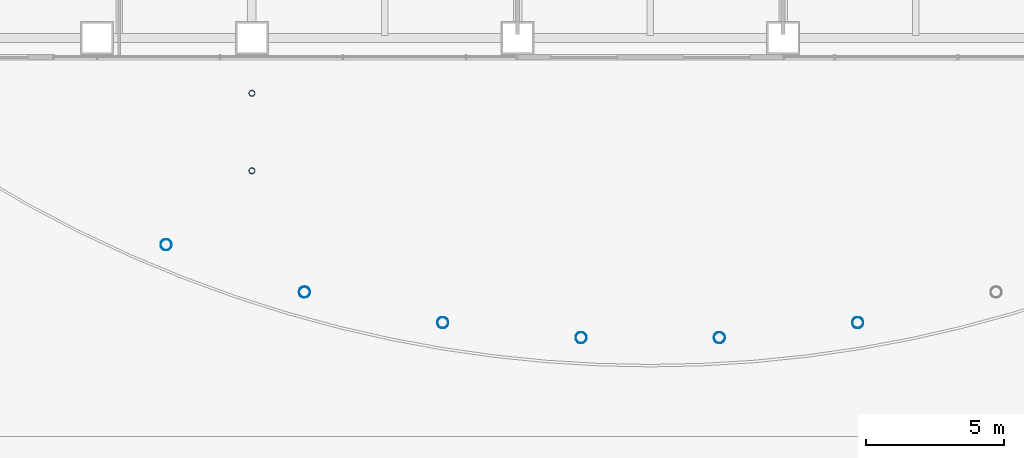
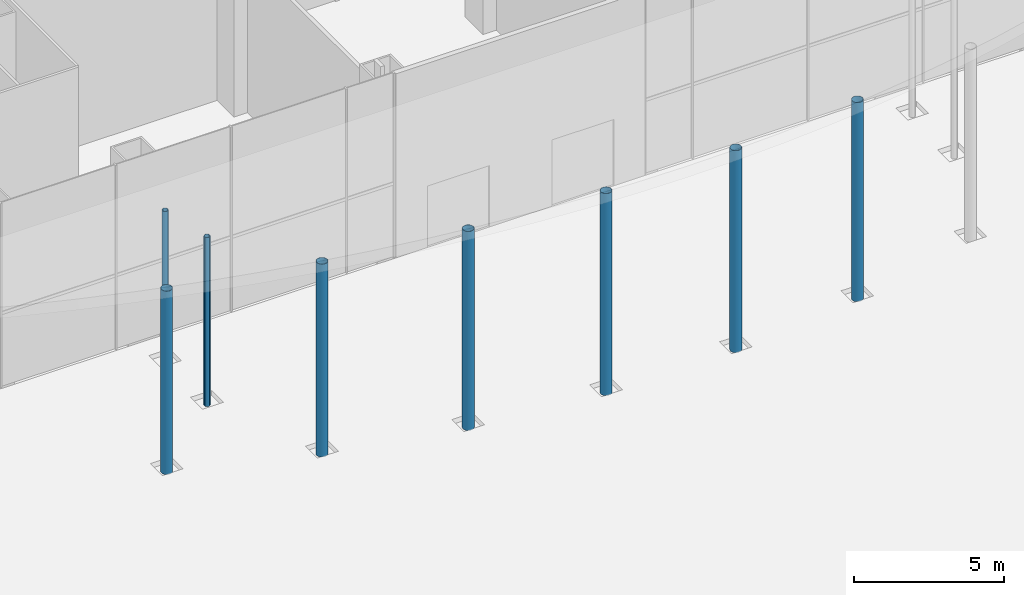
# One storey, part 2 of 36: 8 columns.
"""IFC4 building model written with IfcOpenShell, lengths in metres."""

from ifc_helpers import new_model, si_unit, direction, frame, origin, origin_2d, place, context, subcontext, project, spatial, hollow_circle, extrude, material, material_profile, profile_set, type_object, element, save


model = new_model("IFC4")

# Units and contexts
model_context = context("Model", 3, precision=1e-05, world=origin(), true_north=direction((0.0, 1.0)))
body_context = subcontext(model_context, "Body", "Model", "MODEL_VIEW")
ifc_project = project(units=[si_unit("LENGTHUNIT", "METRE"), si_unit("AREAUNIT", "SQUARE_METRE"), si_unit("VOLUMEUNIT", "CUBIC_METRE"), si_unit("PLANEANGLEUNIT", "RADIAN"), si_unit("MASSUNIT", "GRAM", prefix="KILO")], contexts=[model_context])

# Site, building, storey
site_placement = place(None, origin())
site = spatial("IfcSite", under=ifc_project, at=site_placement, CompositionType="ELEMENT")
building_placement = place(site_placement, origin())
building = spatial("IfcBuilding", under=site, at=building_placement, Name="Cobrizo Arcos Hotel Tower", CompositionType="ELEMENT")
storey_placement = place(building_placement, origin())
storey = spatial("IfcBuildingStorey", under=building, at=storey_placement, Name="L00", CompositionType="ELEMENT", Elevation=0.0)

# Columns
ifc_material = material(Name="Steel ASTM A500 Grade C", Category="steel")
ifc_material_profile_1 = material_profile(ifc_material, hollow_circle(Radius=0.203125, WallThickness=0.01171875, at=origin_2d()), Name="HSS16.000X0.500")
ifc_profile_set_1 = profile_set([ifc_material_profile_1], Name="Steel ASTM A500 Grade C")
column_type_1 = type_object("IfcColumnType", Name="HSS16.000X0.500 canopy column", PredefinedType="COLUMN", material=ifc_profile_set_1)
for number, where, z_axis, x_axis, name in (
    (1, (-2.5, -34.83251953125, -0.199951171875), (0.0, 0.0, 1.0), (1.0, 0.0, 0.0), "Waterfront canopy column 1"),
    (2, (2.5, -34.83251953125, -0.199951171875), (0.0, 0.0, 1.0), (1.0, 0.0, 0.0), "Waterfront canopy column 2"),
):
    element("IfcColumn", number, at=place(storey_placement, frame(where, z_axis=z_axis, x_axis=x_axis)), inside=storey, type_object=column_type_1, Name=name, PredefinedType="COLUMN", context=body_context, shape_type="SweptSolid", body=[
        extrude(hollow_circle(Radius=0.203125, WallThickness=0.01171875, at=origin_2d()), origin(), (0.0, 0.0, 1.0), 8.23388671875),
    ])
for number, where, z_axis, x_axis, name in (
    (3, (-7.5, -34.2900390625, -0.199951171875), (0.0, 0.0, 1.0), (1.0, 0.0, 0.0), "Waterfront canopy column 3"),
    (4, (7.5, -34.2900390625, -0.199951171875), (0.0, 0.0, 1.0), (1.0, 0.0, 0.0), "Waterfront canopy column 4"),
):
    element("IfcColumn", number, at=place(storey_placement, frame(where, z_axis=z_axis, x_axis=x_axis)), inside=storey, type_object=column_type_1, Name=name, PredefinedType="COLUMN", context=body_context, shape_type="SweptSolid", body=[
        extrude(hollow_circle(Radius=0.203125, WallThickness=0.01171875, at=origin_2d()), origin(), (0.0, 0.0, 1.0), 8.110595703125),
    ])
column_1_placement = place(storey_placement, frame((-12.5, -33.184814453125, -0.199951171875), z_axis=(0.0, 0.0, 1.0), x_axis=(1.0, 0.0, 0.0)))
element("IfcColumn", 5, at=column_1_placement, inside=storey, type_object=column_type_1, Name="Waterfront canopy column 5", PredefinedType="COLUMN", context=body_context, shape_type="SweptSolid", body=[
    extrude(hollow_circle(Radius=0.203125, WallThickness=0.01171875, at=origin_2d()), origin(), (0.0, 0.0, 1.0), 7.859375),
])
column_2_placement = place(storey_placement, frame((-17.5, -31.47412109375, -0.199951171875), z_axis=(0.0, 0.0, 1.0), x_axis=(1.0, 0.0, 0.0)))
element("IfcColumn", 6, at=column_2_placement, inside=storey, type_object=column_type_1, Name="Waterfront canopy column 7", PredefinedType="COLUMN", context=body_context, shape_type="SweptSolid", body=[
    extrude(hollow_circle(Radius=0.203125, WallThickness=0.01171875, at=origin_2d()), origin(), (0.0, 0.0, 1.0), 7.470703125),
])
ifc_material_profile_2 = material_profile(ifc_material, hollow_circle(Radius=0.109619140625, WallThickness=0.01171875, at=origin_2d()), Name="HSS8.625X0.500")
ifc_profile_set_2 = profile_set([ifc_material_profile_2], Name="Steel ASTM A500 Grade C")
column_type_2 = type_object("IfcColumnType", Name="HSS8.625X0.500 colonnade column", PredefinedType="COLUMN", material=ifc_profile_set_2)
column_3_placement = place(storey_placement, frame((-14.39990234375, -26.0, -0.199951171875), z_axis=(0.0, 0.0, 1.0), x_axis=(1.0, 0.0, 0.0)))
element("IfcColumn", 7, at=column_3_placement, inside=storey, type_object=column_type_2, Name="Colonnade column 1-1", PredefinedType="COLUMN", context=body_context, shape_type="SweptSolid", body=[
    extrude(hollow_circle(Radius=0.109619140625, WallThickness=0.01171875, at=origin_2d()), origin(), (0.0, 0.0, 1.0), 6.247802734375),
])
column_4_placement = place(storey_placement, frame((-14.39990234375, -28.800048828125, -0.199951171875), z_axis=(0.0, 0.0, 1.0), x_axis=(1.0, 0.0, 0.0)))
element("IfcColumn", 8, at=column_4_placement, inside=storey, type_object=column_type_2, Name="Colonnade column 1-2", PredefinedType="COLUMN", context=body_context, shape_type="SweptSolid", body=[
    extrude(hollow_circle(Radius=0.109619140625, WallThickness=0.01171875, at=origin_2d()), origin(), (0.0, 0.0, 1.0), 6.884033203125),
])

save(model, "model.ifc")
